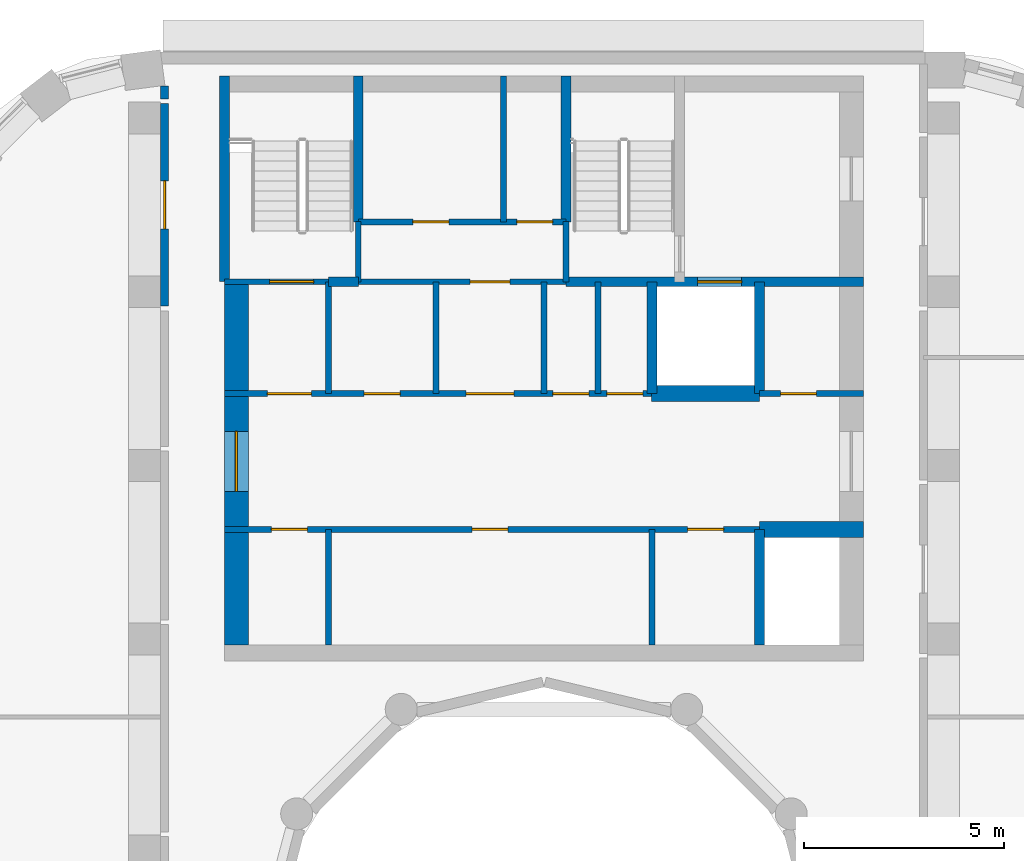
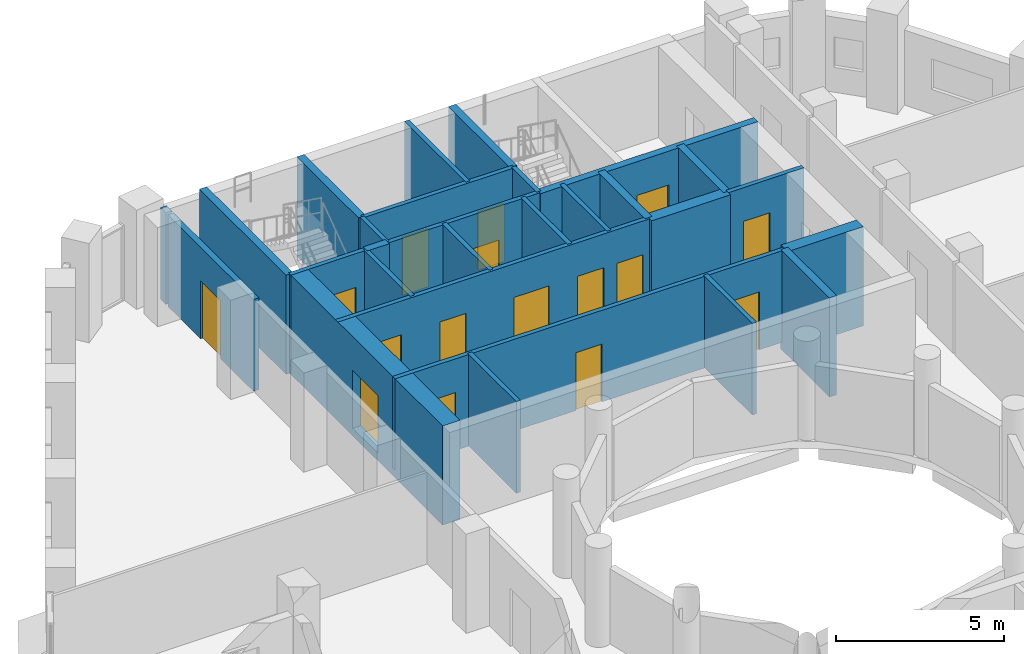
# One storey, part 12 of 16: 28 walls, 16 doors, 16 openings.
"""IFC4 building model written with IfcOpenShell, lengths in metres."""

from ifc_helpers import new_model, si_unit, direction, frame, frame_2d, origin, place, context, subcontext, project, spatial, rectangle, extrude, material, layer, layer_set, type_object, element, fill, save


model = new_model("IFC4")

# Units and contexts
model_context = context("Model", 3, precision=1e-05, world=origin(), true_north=direction((0.0, 1.0)))
body_context = subcontext(model_context, "Body", "Model", "MODEL_VIEW")
ifc_project = project(units=[si_unit("LENGTHUNIT", "METRE"), si_unit("AREAUNIT", "SQUARE_METRE"), si_unit("VOLUMEUNIT", "CUBIC_METRE"), si_unit("PLANEANGLEUNIT", "RADIAN"), si_unit("MASSUNIT", "GRAM", prefix="KILO")], contexts=[model_context])

# Site, building, storey
site_placement = place(None, origin())
site = spatial("IfcSite", under=ifc_project, at=site_placement, CompositionType="ELEMENT")
building_placement = place(site_placement, origin())
building = spatial("IfcBuilding", under=site, at=building_placement, Name="Nakaniwa Court", CompositionType="ELEMENT")
storey_placement = place(building_placement, frame((0.0, 0.0, 272.39990234375)))
storey = spatial("IfcBuildingStorey", under=building, at=storey_placement, Name="C01", CompositionType="ELEMENT", Elevation=272.39990234375)

# Wall, opening, door
ifc_material_1 = material(Name="Acoustic double stud partition")
ifc_layer_1 = layer(ifc_material_1, 0.199951171875)
ifc_layer_set_1 = layer_set([ifc_layer_1], Name="Acoustic double stud partition")
wall_type_1 = type_object("IfcWallType", Name="Acoustic double stud partition 200", PredefinedType="PARTITIONING", material=ifc_layer_set_1)
wall_1_placement = place(storey_placement, frame((70.5, 96.287109375, 0.0), z_axis=(0.0, 0.0, 1.0), x_axis=(0.0, 1.0, 0.0)))
wall_1 = element("IfcWall", 1, at=wall_1_placement, inside=storey, type_object=wall_type_1, Name="Partition PW-082", PredefinedType="PARTITIONING", context=body_context, shape_type="SweptSolid", body=[
    extrude(rectangle(XDim=5.075927734375, YDim=0.199951171875, at=frame_2d((2.5380859375, 0.0))), origin(), (0.0, 0.0, 1.0), 3.3251953125),
])
opening_1_placement = place(wall_1_placement, frame((1.93798828125, 0.0, 0.0)))
opening_1 = element("IfcOpeningElement", 2, at=opening_1_placement, cuts=wall_1, Name="Opening D-30-08", PredefinedType="OPENING", context=body_context, shape_type="SweptSolid", body=[
    extrude(rectangle(XDim=1.199951171875, YDim=2.10009765625, at=frame_2d((0.60009765625, 1.050048828125))), frame((0.0, 0.10986328125, 0.0), z_axis=(0.0, -1.0, 0.0), x_axis=(1.0, 0.0, 0.0)), (0.0, 0.0, 1.0), 0.219970703125),
])
ifc_material_2 = material(Name="Solid core timber door set, black veneer", Category="wood")
door_type_1 = type_object("IfcDoorType", Name="Internal door 1200", OperationType="NOTDEFINED", PredefinedType="DOOR", material=ifc_material_2)
door_1_placement = place(opening_1_placement, origin())
door_1 = element("IfcDoor", 3, at=door_1_placement, inside=storey, type_object=door_type_1, Name="Door D-30-08 C01-036", OperationType="SINGLE_SWING_LEFT", OverallHeight=2.10009765625, OverallWidth=1.199951171875, PredefinedType="DOOR", context=body_context, shape_type="SweptSolid", body=[
    extrude(rectangle(XDim=1.199951171875, YDim=2.10009765625, at=frame_2d((0.60009765625, 1.050048828125))), frame((0.0, 0.02490234375, 0.0), z_axis=(0.0, -1.0, 0.0), x_axis=(1.0, 0.0, 0.0)), (0.0, 0.0, 1.0), 0.050048828125),
])
fill(opening_1, door_1)

# Walls
wall_2_placement = place(storey_placement, frame((70.5, 101.47705078125, 0.0), z_axis=(0.0, 0.0, 1.0), x_axis=(0.0, 1.0, 0.0)))
element("IfcWall", 4, at=wall_2_placement, inside=storey, type_object=wall_type_1, Name="Partition PW-083", PredefinedType="PARTITIONING", context=body_context, shape_type="SweptSolid", body=[
    extrude(rectangle(XDim=0.32373046875, YDim=0.199951171875, at=frame_2d((0.161865234375, 0.0))), origin(), (0.0, 0.0, 1.0), 3.3251953125),
])
ifc_material_3 = material(Name="Blockwork partition", Category="masonry")
ifc_layer_2 = layer(ifc_material_3, 0.14990234375)
ifc_layer_set_2 = layer_set([ifc_layer_2], Name="Blockwork partition")
wall_type_2 = type_object("IfcWallType", Name="Blockwork partition 150", PredefinedType="PARTITIONING", material=ifc_layer_set_2)
wall_3_placement = place(storey_placement, frame((74.60009765625, 87.800048828125, 0.0), z_axis=(0.0, 0.0, 1.0), x_axis=(0.0, 1.0, 0.0)))
element("IfcWall", 5, at=wall_3_placement, inside=storey, type_object=wall_type_2, Name="Partition PW-001", PredefinedType="PARTITIONING", context=body_context, shape_type="SweptSolid", body=[
    extrude(rectangle(XDim=2.89990234375, YDim=0.14990234375, at=frame_2d((1.449951171875, 0.0))), origin(), (0.0, 0.0, 1.0), 3.3251953125),
])
wall_4_placement = place(storey_placement, frame((74.60009765625, 94.10009765625, 0.0), z_axis=(0.0, 0.0, 1.0), x_axis=(0.0, 1.0, 0.0)))
element("IfcWall", 6, at=wall_4_placement, inside=storey, type_object=wall_type_2, Name="Partition PW-002", PredefinedType="PARTITIONING", context=body_context, shape_type="SweptSolid", body=[
    extrude(rectangle(XDim=2.7998046875, YDim=0.14990234375, at=frame_2d((1.39990234375, 0.0))), origin(), (0.0, 0.0, 1.0), 3.3251953125),
])

# Wall, openings, doors
wall_5_placement = place(storey_placement, frame((85.39990234375, 90.699951171875, 0.0), z_axis=(0.0, 0.0, 1.0), x_axis=(-1.0, 0.0, 0.0)))
wall_5 = element("IfcWall", 7, at=wall_5_placement, inside=storey, type_object=wall_type_2, Name="Partition PW-003", PredefinedType="PARTITIONING", context=body_context, shape_type="SweptSolid", body=[
    extrude(rectangle(XDim=13.39990234375, YDim=0.14990234375, at=frame_2d((6.699951171875, 0.0))), origin(), (0.0, 0.0, 1.0), 3.3251953125),
])
opening_2_placement = place(wall_5_placement, frame((11.324951171875, 0.0, 0.0)))
opening_2 = element("IfcOpeningElement", 8, at=opening_2_placement, cuts=wall_5, Name="Opening D-05-01", PredefinedType="OPENING", context=body_context, shape_type="SweptSolid", body=[
    extrude(rectangle(XDim=0.89990234375, YDim=2.10009765625, at=frame_2d((0.449951171875, 1.050048828125))), frame((0.0, 0.0849609375, 0.0), z_axis=(0.0, -1.0, 0.0), x_axis=(1.0, 0.0, 0.0)), (0.0, 0.0, 1.0), 0.169921875),
])
opening_3_placement = place(wall_5_placement, frame((6.300048828125, 0.0, 0.0)))
opening_3 = element("IfcOpeningElement", 9, at=opening_3_placement, cuts=wall_5, Name="Opening D-05-02", PredefinedType="OPENING", context=body_context, shape_type="SweptSolid", body=[
    extrude(rectangle(XDim=0.89990234375, YDim=2.10009765625, at=frame_2d((0.449951171875, 1.050048828125))), frame((0.0, 0.0849609375, 0.0), z_axis=(0.0, -1.0, 0.0), x_axis=(1.0, 0.0, 0.0)), (0.0, 0.0, 1.0), 0.169921875),
])
opening_4_placement = place(wall_5_placement, frame((0.89990234375, 0.0, 0.0)))
opening_4 = element("IfcOpeningElement", 10, at=opening_4_placement, cuts=wall_5, Name="Opening D-05-03", PredefinedType="OPENING", context=body_context, shape_type="SweptSolid", body=[
    extrude(rectangle(XDim=0.89990234375, YDim=2.10009765625, at=frame_2d((0.449951171875, 1.050048828125))), frame((0.0, 0.0849609375, 0.0), z_axis=(0.0, -1.0, 0.0), x_axis=(1.0, 0.0, 0.0)), (0.0, 0.0, 1.0), 0.169921875),
])
ifc_material_4 = material(Name="Fire rated steel door set", Category="steel")
door_type_2 = type_object("IfcDoorType", Name="Service room door 900", OperationType="NOTDEFINED", PredefinedType="DOOR", material=ifc_material_4)
door_2_placement = place(opening_2_placement, origin())
door_2 = element("IfcDoor", 11, at=door_2_placement, inside=storey, type_object=door_type_2, Name="Door D-05-01 C01-001", OperationType="SINGLE_SWING_RIGHT", OverallHeight=2.10009765625, OverallWidth=0.89990234375, PredefinedType="DOOR", context=body_context, shape_type="SweptSolid", body=[
    extrude(rectangle(XDim=0.89990234375, YDim=2.10009765625, at=frame_2d((0.449951171875, 1.050048828125))), frame((0.0, 0.02490234375, 0.0), z_axis=(0.0, -1.0, 0.0), x_axis=(1.0, 0.0, 0.0)), (0.0, 0.0, 1.0), 0.050048828125),
])
fill(opening_2, door_2)
door_3_placement = place(opening_3_placement, origin())
door_3 = element("IfcDoor", 12, at=door_3_placement, inside=storey, type_object=door_type_2, Name="Door D-05-02 C01-002", OperationType="SINGLE_SWING_LEFT", OverallHeight=2.10009765625, OverallWidth=0.89990234375, PredefinedType="DOOR", context=body_context, shape_type="SweptSolid", body=[
    extrude(rectangle(XDim=0.89990234375, YDim=2.10009765625, at=frame_2d((0.449951171875, 1.050048828125))), frame((0.0, 0.02490234375, 0.0), z_axis=(0.0, -1.0, 0.0), x_axis=(1.0, 0.0, 0.0)), (0.0, 0.0, 1.0), 0.050048828125),
])
fill(opening_3, door_3)
door_4_placement = place(opening_4_placement, origin())
door_4 = element("IfcDoor", 13, at=door_4_placement, inside=storey, type_object=door_type_2, Name="Door D-05-03 C01-003", OperationType="SINGLE_SWING_RIGHT", OverallHeight=2.10009765625, OverallWidth=0.89990234375, PredefinedType="DOOR", context=body_context, shape_type="SweptSolid", body=[
    extrude(rectangle(XDim=0.89990234375, YDim=2.10009765625, at=frame_2d((0.449951171875, 1.050048828125))), frame((0.0, 0.02490234375, 0.0), z_axis=(0.0, -1.0, 0.0), x_axis=(1.0, 0.0, 0.0)), (0.0, 0.0, 1.0), 0.050048828125),
])
fill(opening_4, door_4)

# Wall
wall_6_placement = place(storey_placement, frame((82.699951171875, 87.800048828125, 0.0), z_axis=(0.0, 0.0, 1.0), x_axis=(0.0, 1.0, 0.0)))
element("IfcWall", 14, at=wall_6_placement, inside=storey, type_object=wall_type_2, Name="Partition PW-009", PredefinedType="PARTITIONING", context=body_context, shape_type="SweptSolid", body=[
    extrude(rectangle(XDim=2.89990234375, YDim=0.14990234375, at=frame_2d((1.449951171875, 0.0))), origin(), (0.0, 0.0, 1.0), 3.3251953125),
])

# Wall, openings, doors
wall_7_placement = place(storey_placement, frame((72.0, 94.10009765625, 0.0), z_axis=(0.0, 0.0, 1.0), x_axis=(1.0, 0.0, 0.0)))
wall_7 = element("IfcWall", 15, at=wall_7_placement, inside=storey, type_object=wall_type_2, Name="Partition PW-010", PredefinedType="PARTITIONING", context=body_context, shape_type="SweptSolid", body=[
    extrude(rectangle(XDim=10.702880859375, YDim=0.14990234375, at=frame_2d((5.3515625, 0.0))), origin(), (0.0, 0.0, 1.0), 3.3251953125),
])
opening_5_placement = place(wall_7_placement, frame((1.074951171875, 0.0, 0.0)))
opening_5 = element("IfcOpeningElement", 16, at=opening_5_placement, cuts=wall_7, Name="Opening D-08-01", PredefinedType="OPENING", context=body_context, shape_type="SweptSolid", body=[
    extrude(rectangle(XDim=1.10009765625, YDim=2.10009765625, at=frame_2d((0.550048828125, 1.050048828125))), frame((0.0, 0.0849609375, 0.0), z_axis=(0.0, -1.0, 0.0), x_axis=(1.0, 0.0, 0.0)), (0.0, 0.0, 1.0), 0.169921875),
])
opening_6_placement = place(wall_7_placement, frame((3.5, 0.0, 0.0)))
opening_6 = element("IfcOpeningElement", 17, at=opening_6_placement, cuts=wall_7, Name="Opening D-05-04", PredefinedType="OPENING", context=body_context, shape_type="SweptSolid", body=[
    extrude(rectangle(XDim=0.89990234375, YDim=2.10009765625, at=frame_2d((0.449951171875, 1.050048828125))), frame((0.0, 0.0849609375, 0.0), z_axis=(0.0, -1.0, 0.0), x_axis=(1.0, 0.0, 0.0)), (0.0, 0.0, 1.0), 0.169921875),
])
opening_7_placement = place(wall_7_placement, frame((6.050048828125, 0.0, 0.0)))
opening_7 = element("IfcOpeningElement", 18, at=opening_7_placement, cuts=wall_7, Name="Opening D-06-01", PredefinedType="OPENING", context=body_context, shape_type="SweptSolid", body=[
    extrude(rectangle(XDim=1.199951171875, YDim=2.10009765625, at=frame_2d((0.60009765625, 1.050048828125))), frame((0.0, 0.0849609375, 0.0), z_axis=(0.0, -1.0, 0.0), x_axis=(1.0, 0.0, 0.0)), (0.0, 0.0, 1.0), 0.169921875),
])
opening_8_placement = place(wall_7_placement, frame((8.22509765625, 0.0, 0.0)))
opening_8 = element("IfcOpeningElement", 19, at=opening_8_placement, cuts=wall_7, Name="Opening D-05-05", PredefinedType="OPENING", context=body_context, shape_type="SweptSolid", body=[
    extrude(rectangle(XDim=0.89990234375, YDim=2.10009765625, at=frame_2d((0.449951171875, 1.050048828125))), frame((0.0, 0.0849609375, 0.0), z_axis=(0.0, -1.0, 0.0), x_axis=(1.0, 0.0, 0.0)), (0.0, 0.0, 1.0), 0.169921875),
])
opening_9_placement = place(wall_7_placement, frame((9.574951171875, 0.0, 0.0)))
opening_9 = element("IfcOpeningElement", 20, at=opening_9_placement, cuts=wall_7, Name="Opening D-05-06", PredefinedType="OPENING", context=body_context, shape_type="SweptSolid", body=[
    extrude(rectangle(XDim=0.89990234375, YDim=2.10009765625, at=frame_2d((0.449951171875, 1.050048828125))), frame((0.0, 0.0849609375, 0.0), z_axis=(0.0, -1.0, 0.0), x_axis=(1.0, 0.0, 0.0)), (0.0, 0.0, 1.0), 0.169921875),
])
ifc_material_5 = material(Name="Fire rated steel double door set", Category="steel")
door_type_3 = type_object("IfcDoorType", Name="Service passage double door 1200", OperationType="NOTDEFINED", PredefinedType="DOOR", material=ifc_material_5)
door_5_placement = place(opening_7_placement, origin())
door_5 = element("IfcDoor", 21, at=door_5_placement, inside=storey, type_object=door_type_3, Name="Door D-06-01 C01-006", OperationType="DOUBLE_DOOR_SINGLE_SWING", OverallHeight=2.10009765625, OverallWidth=1.199951171875, PredefinedType="DOOR", context=body_context, shape_type="SweptSolid", body=[
    extrude(rectangle(XDim=1.199951171875, YDim=2.10009765625, at=frame_2d((0.60009765625, 1.050048828125))), frame((0.0, 0.02490234375, 0.0), z_axis=(0.0, -1.0, 0.0), x_axis=(1.0, 0.0, 0.0)), (0.0, 0.0, 1.0), 0.050048828125),
])
fill(opening_7, door_5)
door_6_placement = place(opening_6_placement, origin())
door_6 = element("IfcDoor", 22, at=door_6_placement, inside=storey, type_object=door_type_2, Name="Door D-05-04 C01-005", OperationType="SINGLE_SWING_RIGHT", OverallHeight=2.10009765625, OverallWidth=0.89990234375, PredefinedType="DOOR", context=body_context, shape_type="SweptSolid", body=[
    extrude(rectangle(XDim=0.89990234375, YDim=2.10009765625, at=frame_2d((0.449951171875, 1.050048828125))), frame((0.0, 0.02490234375, 0.0), z_axis=(0.0, -1.0, 0.0), x_axis=(1.0, 0.0, 0.0)), (0.0, 0.0, 1.0), 0.050048828125),
])
fill(opening_6, door_6)
door_7_placement = place(opening_8_placement, origin())
door_7 = element("IfcDoor", 23, at=door_7_placement, inside=storey, type_object=door_type_2, Name="Door D-05-05 C01-007", OperationType="SINGLE_SWING_RIGHT", OverallHeight=2.10009765625, OverallWidth=0.89990234375, PredefinedType="DOOR", context=body_context, shape_type="SweptSolid", body=[
    extrude(rectangle(XDim=0.89990234375, YDim=2.10009765625, at=frame_2d((0.449951171875, 1.050048828125))), frame((0.0, 0.02490234375, 0.0), z_axis=(0.0, -1.0, 0.0), x_axis=(1.0, 0.0, 0.0)), (0.0, 0.0, 1.0), 0.050048828125),
])
fill(opening_8, door_7)
door_8_placement = place(opening_9_placement, origin())
door_8 = element("IfcDoor", 24, at=door_8_placement, inside=storey, type_object=door_type_2, Name="Door D-05-06 C01-008", OperationType="SINGLE_SWING_LEFT", OverallHeight=2.10009765625, OverallWidth=0.89990234375, PredefinedType="DOOR", context=body_context, shape_type="SweptSolid", body=[
    extrude(rectangle(XDim=0.89990234375, YDim=2.10009765625, at=frame_2d((0.449951171875, 1.050048828125))), frame((0.0, 0.02490234375, 0.0), z_axis=(0.0, -1.0, 0.0), x_axis=(1.0, 0.0, 0.0)), (0.0, 0.0, 1.0), 0.050048828125),
])
fill(opening_9, door_8)
door_type_4 = type_object("IfcDoorType", Name="Stair lobby door 1100", OperationType="NOTDEFINED", PredefinedType="DOOR", material=ifc_material_4)
door_9_placement = place(opening_5_placement, origin())
door_9 = element("IfcDoor", 25, at=door_9_placement, inside=storey, type_object=door_type_4, Name="Door D-08-01 C01-004", OperationType="SINGLE_SWING_LEFT", OverallHeight=2.10009765625, OverallWidth=1.10009765625, PredefinedType="DOOR", context=body_context, shape_type="SweptSolid", body=[
    extrude(rectangle(XDim=1.10009765625, YDim=2.10009765625, at=frame_2d((0.550048828125, 1.050048828125))), frame((0.0, 0.02490234375, 0.0), z_axis=(0.0, -1.0, 0.0), x_axis=(1.0, 0.0, 0.0)), (0.0, 0.0, 1.0), 0.050048828125),
])
fill(opening_5, door_9)

# Wall, opening, door
wall_8_placement = place(storey_placement, frame((85.39697265625, 94.10009765625, 0.0), z_axis=(0.0, 0.0, 1.0), x_axis=(1.0, 0.0, 0.0)))
wall_8 = element("IfcWall", 26, at=wall_8_placement, inside=storey, type_object=wall_type_2, Name="Partition PW-011", PredefinedType="PARTITIONING", context=body_context, shape_type="SweptSolid", body=[
    extrude(rectangle(XDim=2.60302734375, YDim=0.14990234375, at=frame_2d((1.301513671875, 0.0))), origin(), (0.0, 0.0, 1.0), 3.3251953125),
])
opening_10_placement = place(wall_8_placement, frame((0.528076171875, 0.0, 0.0)))
opening_10 = element("IfcOpeningElement", 27, at=opening_10_placement, cuts=wall_8, Name="Opening D-05-07", PredefinedType="OPENING", context=body_context, shape_type="SweptSolid", body=[
    extrude(rectangle(XDim=0.89990234375, YDim=2.10009765625, at=frame_2d((0.449951171875, 1.050048828125))), frame((0.0, 0.0849609375, 0.0), z_axis=(0.0, -1.0, 0.0), x_axis=(1.0, 0.0, 0.0)), (0.0, 0.0, 1.0), 0.169921875),
])
door_10_placement = place(opening_10_placement, origin())
door_10 = element("IfcDoor", 28, at=door_10_placement, inside=storey, type_object=door_type_2, Name="Door D-05-07 C01-009", OperationType="SINGLE_SWING_RIGHT", OverallHeight=2.10009765625, OverallWidth=0.89990234375, PredefinedType="DOOR", context=body_context, shape_type="SweptSolid", body=[
    extrude(rectangle(XDim=0.89990234375, YDim=2.10009765625, at=frame_2d((0.449951171875, 1.050048828125))), frame((0.0, 0.02490234375, 0.0), z_axis=(0.0, -1.0, 0.0), x_axis=(1.0, 0.0, 0.0)), (0.0, 0.0, 1.0), 0.050048828125),
])
fill(opening_10, door_10)

# Wall
wall_9_placement = place(storey_placement, frame((77.300048828125, 94.10009765625, 0.0), z_axis=(0.0, 0.0, 1.0), x_axis=(0.0, 1.0, 0.0)))
element("IfcWall", 29, at=wall_9_placement, inside=storey, type_object=wall_type_2, Name="Partition PW-014", PredefinedType="PARTITIONING", context=body_context, shape_type="SweptSolid", body=[
    extrude(rectangle(XDim=2.7998046875, YDim=0.14990234375, at=frame_2d((1.39990234375, 0.0))), origin(), (0.0, 0.0, 1.0), 3.3251953125),
])

# Wall, opening, door
wall_10_placement = place(storey_placement, frame((75.346923828125, 96.89990234375, 0.0), z_axis=(0.0, 0.0, 1.0), x_axis=(1.0, 0.0, 0.0)))
wall_10 = element("IfcWall", 30, at=wall_10_placement, inside=storey, type_object=wall_type_2, Name="Partition PW-017", PredefinedType="PARTITIONING", context=body_context, shape_type="SweptSolid", body=[
    extrude(rectangle(XDim=5.2060546875, YDim=0.14990234375, at=frame_2d((2.60302734375, 0.0))), origin(), (0.0, 0.0, 1.0), 3.3251953125),
])
opening_11_placement = place(wall_10_placement, frame((2.802978515625, 0.0, 0.0)))
opening_11 = element("IfcOpeningElement", 31, at=opening_11_placement, cuts=wall_10, Name="Opening D-23-01", PredefinedType="OPENING", context=body_context, shape_type="SweptSolid", body=[
    extrude(rectangle(XDim=1.0, YDim=2.10009765625, at=frame_2d((0.5, 1.050048828125))), frame((0.0, 0.0849609375, 0.0), z_axis=(0.0, -1.0, 0.0), x_axis=(1.0, 0.0, 0.0)), (0.0, 0.0, 1.0), 0.169921875),
])
door_type_5 = type_object("IfcDoorType", Name="Service room door 1000", OperationType="NOTDEFINED", PredefinedType="DOOR", material=ifc_material_4)
door_11_placement = place(opening_11_placement, origin())
door_11 = element("IfcDoor", 32, at=door_11_placement, inside=storey, type_object=door_type_5, Name="Door D-23-01 C01-010", OperationType="SINGLE_SWING_LEFT", OverallHeight=2.10009765625, OverallWidth=1.0, PredefinedType="DOOR", context=body_context, shape_type="SweptSolid", body=[
    extrude(rectangle(XDim=1.0, YDim=2.10009765625, at=frame_2d((0.5, 1.050048828125))), frame((0.0, 0.02490234375, 0.0), z_axis=(0.0, -1.0, 0.0), x_axis=(1.0, 0.0, 0.0)), (0.0, 0.0, 1.0), 0.050048828125),
])
fill(opening_11, door_11)

# Walls
for number, where, z_axis, x_axis, name in (
    (33, (80.0, 94.10009765625, 0.0), (0.0, 0.0, 1.0), (0.0, 1.0, 0.0), "Partition PW-018"),
    (34, (81.35009765625, 94.10009765625, 0.0), (0.0, 0.0, 1.0), (0.0, 1.0, 0.0), "Partition PW-019"),
):
    element("IfcWall", number, at=place(storey_placement, frame(where, z_axis=z_axis, x_axis=x_axis)), inside=storey, type_object=wall_type_2, Name=name, PredefinedType="PARTITIONING", context=body_context, shape_type="SweptSolid", body=[
        extrude(rectangle(XDim=2.7998046875, YDim=0.14990234375, at=frame_2d((1.39990234375, 0.0))), origin(), (0.0, 0.0, 1.0), 3.3251953125),
    ])

# Wall, openings, doors
wall_11_placement = place(storey_placement, frame((75.35009765625, 98.39990234375, 0.0), z_axis=(0.0, 0.0, 1.0), x_axis=(1.0, 0.0, 0.0)))
wall_11 = element("IfcWall", 35, at=wall_11_placement, inside=storey, type_object=wall_type_2, Name="Partition PW-027", PredefinedType="PARTITIONING", context=body_context, shape_type="SweptSolid", body=[
    extrude(rectangle(XDim=5.199951171875, YDim=0.14990234375, at=frame_2d((2.60009765625, 0.0))), origin(), (0.0, 0.0, 1.0), 3.3251953125),
])
opening_12_placement = place(wall_11_placement, frame((1.3701171875, 0.0, 0.0)))
opening_12 = element("IfcOpeningElement", 36, at=opening_12_placement, cuts=wall_11, Name="Opening D-05-08", PredefinedType="OPENING", context=body_context, shape_type="SweptSolid", body=[
    extrude(rectangle(XDim=0.89990234375, YDim=2.10009765625, at=frame_2d((0.449951171875, 1.050048828125))), frame((0.0, 0.0849609375, 0.0), z_axis=(0.0, -1.0, 0.0), x_axis=(1.0, 0.0, 0.0)), (0.0, 0.0, 1.0), 0.169921875),
])
opening_13_placement = place(wall_11_placement, frame((3.969970703125, 0.0, 0.0)))
opening_13 = element("IfcOpeningElement", 37, at=opening_13_placement, cuts=wall_11, Name="Opening D-05-09", PredefinedType="OPENING", context=body_context, shape_type="SweptSolid", body=[
    extrude(rectangle(XDim=0.89990234375, YDim=2.10009765625, at=frame_2d((0.449951171875, 1.050048828125))), frame((0.0, 0.0849609375, 0.0), z_axis=(0.0, -1.0, 0.0), x_axis=(1.0, 0.0, 0.0)), (0.0, 0.0, 1.0), 0.169921875),
])
door_12_placement = place(opening_12_placement, origin())
door_12 = element("IfcDoor", 38, at=door_12_placement, inside=storey, type_object=door_type_2, Name="Door D-05-08 C01-011", OperationType="SINGLE_SWING_RIGHT", OverallHeight=2.10009765625, OverallWidth=0.89990234375, PredefinedType="DOOR", context=body_context, shape_type="SweptSolid", body=[
    extrude(rectangle(XDim=0.89990234375, YDim=2.10009765625, at=frame_2d((0.449951171875, 1.050048828125))), frame((0.0, 0.02490234375, 0.0), z_axis=(0.0, -1.0, 0.0), x_axis=(1.0, 0.0, 0.0)), (0.0, 0.0, 1.0), 0.050048828125),
])
fill(opening_12, door_12)
door_13_placement = place(opening_13_placement, origin())
door_13 = element("IfcDoor", 39, at=door_13_placement, inside=storey, type_object=door_type_2, Name="Door D-05-09 C01-012", OperationType="SINGLE_SWING_LEFT", OverallHeight=2.10009765625, OverallWidth=0.89990234375, PredefinedType="DOOR", context=body_context, shape_type="SweptSolid", body=[
    extrude(rectangle(XDim=0.89990234375, YDim=2.10009765625, at=frame_2d((0.449951171875, 1.050048828125))), frame((0.0, 0.02490234375, 0.0), z_axis=(0.0, -1.0, 0.0), x_axis=(1.0, 0.0, 0.0)), (0.0, 0.0, 1.0), 0.050048828125),
])
fill(opening_13, door_13)

# Wall
wall_12_placement = place(storey_placement, frame((78.989990234375, 98.39990234375, 0.0), z_axis=(0.0, 0.0, 1.0), x_axis=(0.0, 1.0, 0.0)))
element("IfcWall", 40, at=wall_12_placement, inside=storey, type_object=wall_type_2, Name="Partition PW-028", PredefinedType="PARTITIONING", context=body_context, shape_type="SweptSolid", body=[
    extrude(rectangle(XDim=3.650146484375, YDim=0.14990234375, at=frame_2d((1.8251953125, 0.0))), origin(), (0.0, 0.0, 1.0), 3.3251953125),
])

# Wall, opening, door
ifc_material_6 = material(Name="Concrete C80/100", Category="concrete")
ifc_layer_3 = layer(ifc_material_6, 0.60009765625)
ifc_layer_set_3 = layer_set([ifc_layer_3], Name="Concrete C80/100")
wall_type_3 = type_object("IfcWallType", Name="Concrete core side wall 600 C80", PredefinedType="SHEAR", material=ifc_layer_set_3)
wall_13_placement = place(storey_placement, frame((72.300048828125, 87.800048828125, -0.27490234375), z_axis=(0.0, 0.0, 1.0), x_axis=(0.0, 1.0, 0.0)))
wall_13 = element("IfcWall", 41, at=wall_13_placement, inside=storey, type_object=wall_type_3, Name="Core wall SW-04", PredefinedType="SHEAR", context=body_context, shape_type="SweptSolid", body=[
    extrude(rectangle(XDim=9.099853515625, YDim=0.60009765625, at=frame_2d((4.5498046875, 0.0))), origin(), (0.0, 0.0, 1.0), 3.60009765625),
])
opening_14_placement = place(wall_13_placement, frame((3.85009765625, 0.0, 0.27490234375)))
opening_14 = element("IfcOpeningElement", 42, at=opening_14_placement, cuts=wall_13, Name="Opening D-07-02", PredefinedType="OPENING", context=body_context, shape_type="SweptSolid", body=[
    extrude(rectangle(XDim=1.5, YDim=2.10009765625, at=frame_2d((0.75, 1.050048828125))), frame((0.0, 0.31005859375, 0.0), z_axis=(0.0, -1.0, 0.0), x_axis=(1.0, 0.0, 0.0)), (0.0, 0.0, 1.0), 0.6201171875),
])
ifc_material_7 = material(Name="Glazed fire rated steel double door set", Category="steel")
door_type_6 = type_object("IfcDoorType", Name="Lobby double door 1500", OperationType="NOTDEFINED", PredefinedType="DOOR", material=ifc_material_7)
door_14_placement = place(opening_14_placement, origin())
door_14 = element("IfcDoor", 43, at=door_14_placement, inside=storey, type_object=door_type_6, Name="Door D-07-02 C01-038", OperationType="DOUBLE_DOOR_SINGLE_SWING", OverallHeight=2.10009765625, OverallWidth=1.5, PredefinedType="DOOR", context=body_context, shape_type="SweptSolid", body=[
    extrude(rectangle(XDim=1.5, YDim=2.10009765625, at=frame_2d((0.75, 1.050048828125))), frame((0.0, 0.02490234375, 0.0), z_axis=(0.0, -1.0, 0.0), x_axis=(1.0, 0.0, 0.0)), (0.0, 0.0, 1.0), 0.050048828125),
])
fill(opening_14, door_14)

# Walls
ifc_layer_4 = layer(ifc_material_6, 0.39990234375)
ifc_layer_set_4 = layer_set([ifc_layer_4], Name="Concrete C80/100")
wall_type_4 = type_object("IfcWallType", Name="Concrete core spine wall 400 C80", PredefinedType="SHEAR", material=ifc_layer_set_4)
wall_14_placement = place(storey_placement, frame((85.39990234375, 90.699951171875, -0.27490234375), z_axis=(0.0, 0.0, 1.0), x_axis=(1.0, 0.0, 0.0)))
element("IfcWall", 44, at=wall_14_placement, inside=storey, type_object=wall_type_4, Name="Core wall SW-07", PredefinedType="SHEAR", context=body_context, shape_type="SweptSolid", body=[
    extrude(rectangle(XDim=2.60009765625, YDim=0.39990234375, at=frame_2d((1.300048828125, 0.0))), origin(), (0.0, 0.0, 1.0), 3.60009765625),
])
wall_15_placement = place(storey_placement, frame((82.697021484375, 94.10009765625, -0.27490234375), z_axis=(0.0, 0.0, 1.0), x_axis=(1.0, 0.0, 0.0)))
element("IfcWall", 45, at=wall_15_placement, inside=storey, type_object=wall_type_4, Name="Core wall SW-12", PredefinedType="SHEAR", context=body_context, shape_type="SweptSolid", body=[
    extrude(rectangle(XDim=2.7060546875, YDim=0.39990234375, at=frame_2d((1.35302734375, 0.0))), origin(), (0.0, 0.0, 1.0), 3.60009765625),
])

# Wall, opening, door
ifc_layer_5 = layer(ifc_material_6, 0.14990234375)
ifc_layer_set_5 = layer_set([ifc_layer_5], Name="Concrete C80/100")
wall_type_5 = type_object("IfcWallType", Name="Concrete core wall 150 C80", PredefinedType="SHEAR", material=ifc_layer_set_5)
wall_16_placement = place(storey_placement, frame((74.60009765625, 96.89990234375, -0.27490234375), z_axis=(0.0, 0.0, 1.0), x_axis=(-1.0, 0.0, 0.0)))
wall_16 = element("IfcWall", 46, at=wall_16_placement, inside=storey, type_object=wall_type_5, Name="Core wall SW-13", PredefinedType="SHEAR", context=body_context, shape_type="SweptSolid", body=[
    extrude(rectangle(XDim=2.60009765625, YDim=0.14990234375, at=frame_2d((1.300048828125, 0.0))), origin(), (0.0, 0.0, 1.0), 3.60009765625),
])
opening_15_placement = place(wall_16_placement, frame((0.3701171875, 0.0, 0.27490234375)))
opening_15 = element("IfcOpeningElement", 47, at=opening_15_placement, cuts=wall_16, Name="Opening D-09-01", PredefinedType="OPENING", context=body_context, shape_type="SweptSolid", body=[
    extrude(rectangle(XDim=1.10009765625, YDim=2.10009765625, at=frame_2d((0.550048828125, 1.050048828125))), frame((0.0, 0.0849609375, 0.0), z_axis=(0.0, -1.0, 0.0), x_axis=(1.0, 0.0, 0.0)), (0.0, 0.0, 1.0), 0.169921875),
])
door_type_7 = type_object("IfcDoorType", Name="Stair door 1100", OperationType="NOTDEFINED", PredefinedType="DOOR", material=ifc_material_4)
door_15_placement = place(opening_15_placement, origin())
door_15 = element("IfcDoor", 48, at=door_15_placement, inside=storey, type_object=door_type_7, Name="Door D-09-01 C01-013", OperationType="SINGLE_SWING_LEFT", OverallHeight=2.10009765625, OverallWidth=1.10009765625, PredefinedType="DOOR", context=body_context, shape_type="SweptSolid", body=[
    extrude(rectangle(XDim=1.10009765625, YDim=2.10009765625, at=frame_2d((0.550048828125, 1.050048828125))), frame((0.0, 0.02490234375, 0.0), z_axis=(0.0, -1.0, 0.0), x_axis=(1.0, 0.0, 0.0)), (0.0, 0.0, 1.0), 0.050048828125),
])
fill(opening_15, door_15)

# Walls
for number, where, z_axis, x_axis, name in (
    (49, (75.35009765625, 96.89990234375, -0.27490234375), (0.0, 0.0, 1.0), (0.0, 1.0, 0.0), "Core wall SW-21"),
    (50, (80.550048828125, 96.89990234375, -0.27490234375), (0.0, 0.0, 1.0), (0.0, 1.0, 0.0), "Core wall SW-25"),
):
    element("IfcWall", number, at=place(storey_placement, frame(where, z_axis=z_axis, x_axis=x_axis)), inside=storey, type_object=wall_type_5, Name=name, PredefinedType="SHEAR", context=body_context, shape_type="SweptSolid", body=[
        extrude(rectangle(XDim=1.503173828125, YDim=0.14990234375, at=frame_2d((0.75146484375, 0.0))), origin(), (0.0, 0.0, 1.0), 3.60009765625),
    ])
ifc_layer_6 = layer(ifc_material_6, 0.25)
ifc_layer_set_6 = layer_set([ifc_layer_6], Name="Concrete C80/100")
wall_type_6 = type_object("IfcWallType", Name="Concrete core wall 250 C80", PredefinedType="SHEAR", material=ifc_layer_set_6)
wall_17_placement = place(storey_placement, frame((72.0, 96.89990234375, -0.27490234375), z_axis=(0.0, 0.0, 1.0), x_axis=(0.0, 1.0, 0.0)))
element("IfcWall", 51, at=wall_17_placement, inside=storey, type_object=wall_type_6, Name="Core wall SW-23", PredefinedType="SHEAR", context=body_context, shape_type="SweptSolid", body=[
    extrude(rectangle(XDim=5.150146484375, YDim=0.25, at=frame_2d((2.5751953125, 0.0))), origin(), (0.0, 0.0, 1.0), 3.60009765625),
])
ifc_layer_7 = layer(ifc_material_6, 0.25)
ifc_layer_set_7 = layer_set([ifc_layer_7], Name="Concrete C80/100")
wall_type_7 = type_object("IfcWallType", Name="Concrete shaft wall 250 C80", PredefinedType="SHEAR", material=ifc_layer_set_7)
wall_18_placement = place(storey_placement, frame((85.39990234375, 87.800048828125, -0.27490234375), z_axis=(0.0, 0.0, 1.0), x_axis=(0.0, 1.0, 0.0)))
element("IfcWall", 52, at=wall_18_placement, inside=storey, type_object=wall_type_7, Name="Core wall SW-05", PredefinedType="SHEAR", context=body_context, shape_type="SweptSolid", body=[
    extrude(rectangle(XDim=2.89990234375, YDim=0.25, at=frame_2d((1.449951171875, 0.0))), origin(), (0.0, 0.0, 1.0), 3.60009765625),
])
wall_19_placement = place(storey_placement, frame((85.39990234375, 94.10009765625, -0.27490234375), z_axis=(0.0, 0.0, 1.0), x_axis=(0.0, 1.0, 0.0)))
element("IfcWall", 53, at=wall_19_placement, inside=storey, type_object=wall_type_7, Name="Core wall SW-06", PredefinedType="SHEAR", context=body_context, shape_type="SweptSolid", body=[
    extrude(rectangle(XDim=2.7998046875, YDim=0.25, at=frame_2d((1.39990234375, 0.0))), origin(), (0.0, 0.0, 1.0), 3.60009765625),
])
wall_20_placement = place(storey_placement, frame((74.60009765625, 96.89990234375, -0.27490234375), z_axis=(0.0, 0.0, 1.0), x_axis=(1.0, 0.0, 0.0)))
element("IfcWall", 54, at=wall_20_placement, inside=storey, type_object=wall_type_7, Name="Core wall SW-15", PredefinedType="SHEAR", context=body_context, shape_type="SweptSolid", body=[
    extrude(rectangle(XDim=0.7529296875, YDim=0.25, at=frame_2d((0.37646484375, 0.0))), origin(), (0.0, 0.0, 1.0), 3.60009765625),
])

# Wall, opening, door
wall_21_placement = place(storey_placement, frame((80.547119140625, 96.89990234375, -0.27490234375), z_axis=(0.0, 0.0, 1.0), x_axis=(1.0, 0.0, 0.0)))
wall_21 = element("IfcWall", 55, at=wall_21_placement, inside=storey, type_object=wall_type_7, Name="Core wall SW-16", PredefinedType="SHEAR", context=body_context, shape_type="SweptSolid", body=[
    extrude(rectangle(XDim=7.452880859375, YDim=0.25, at=frame_2d((3.7265625, 0.0))), origin(), (0.0, 0.0, 1.0), 3.60009765625),
])
opening_16_placement = place(wall_21_placement, frame((3.302001953125, 0.0, 0.27490234375)))
opening_16 = element("IfcOpeningElement", 56, at=opening_16_placement, cuts=wall_21, Name="Opening LD01", PredefinedType="OPENING", context=body_context, shape_type="SweptSolid", body=[
    extrude(rectangle(XDim=1.10009765625, YDim=2.10009765625, at=frame_2d((0.550048828125, 1.050048828125))), frame((0.0, 0.135009765625, 0.0), z_axis=(0.0, -1.0, 0.0), x_axis=(1.0, 0.0, 0.0)), (0.0, 0.0, 1.0), 0.27001953125),
])
ifc_material_8 = material(Name="Stainless steel sliding lift landing door", Category="steel")
door_type_8 = type_object("IfcDoorType", Name="Lift landing door 1100", OperationType="NOTDEFINED", PredefinedType="DOOR", material=ifc_material_8)
door_16_placement = place(opening_16_placement, origin())
door_16 = element("IfcDoor", 57, at=door_16_placement, inside=storey, type_object=door_type_8, Name="Lift landing door LD01 C01-001", OperationType="SLIDING_TO_LEFT", OverallHeight=2.10009765625, OverallWidth=1.10009765625, PredefinedType="DOOR", context=body_context, shape_type="SweptSolid", body=[
    extrude(rectangle(XDim=1.10009765625, YDim=2.10009765625, at=frame_2d((0.550048828125, 1.050048828125))), frame((0.0, 0.02490234375, 0.0), z_axis=(0.0, -1.0, 0.0), x_axis=(1.0, 0.0, 0.0)), (0.0, 0.0, 1.0), 0.050048828125),
])
fill(opening_16, door_16)

# Walls
wall_22_placement = place(storey_placement, frame((82.699951171875, 94.10009765625, -0.27490234375), z_axis=(0.0, 0.0, 1.0), x_axis=(0.0, 1.0, 0.0)))
element("IfcWall", 58, at=wall_22_placement, inside=storey, type_object=wall_type_7, Name="Core wall SW-20", PredefinedType="SHEAR", context=body_context, shape_type="SweptSolid", body=[
    extrude(rectangle(XDim=2.7998046875, YDim=0.25, at=frame_2d((1.39990234375, 0.0))), origin(), (0.0, 0.0, 1.0), 3.60009765625),
])
for number, where, z_axis, x_axis, name in (
    (59, (75.35009765625, 98.39697265625, -0.27490234375), (0.0, 0.0, 1.0), (0.0, 1.0, 0.0), "Core wall SW-22"),
    (60, (80.550048828125, 98.39697265625, -0.27490234375), (0.0, 0.0, 1.0), (0.0, 1.0, 0.0), "Core wall SW-26"),
):
    element("IfcWall", number, at=place(storey_placement, frame(where, z_axis=z_axis, x_axis=x_axis)), inside=storey, type_object=wall_type_7, Name=name, PredefinedType="SHEAR", context=body_context, shape_type="SweptSolid", body=[
        extrude(rectangle(XDim=3.653076171875, YDim=0.25, at=frame_2d((1.82666015625, 0.0))), origin(), (0.0, 0.0, 1.0), 3.60009765625),
    ])

save(model, "model.ifc")
